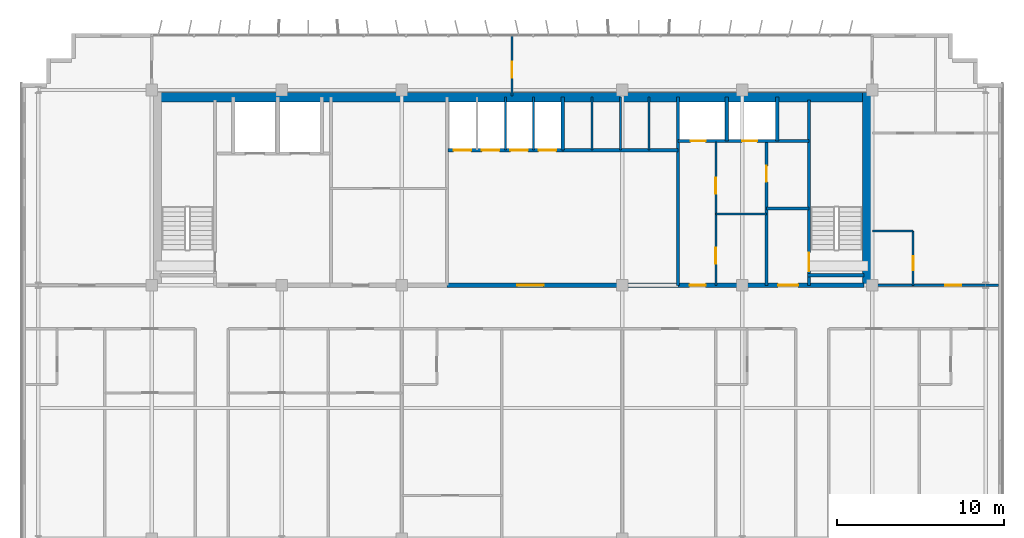
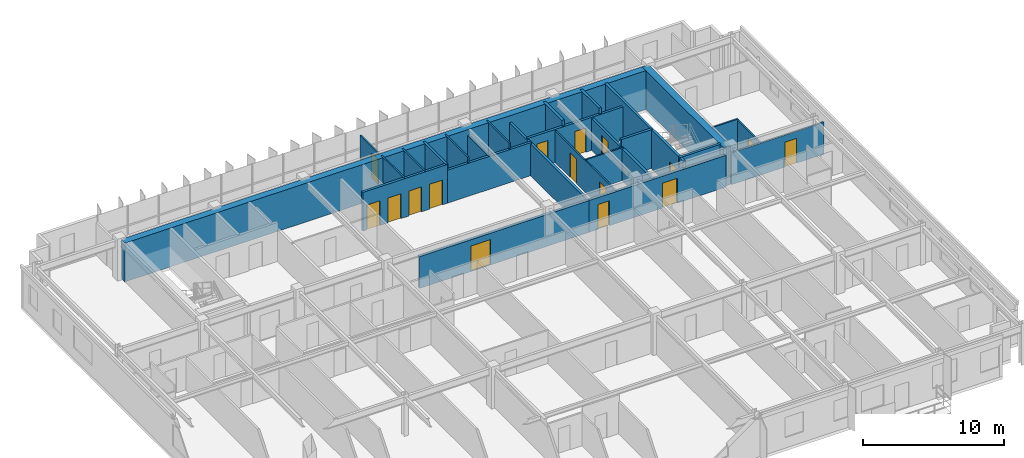
# One storey, part 18 of 21: 26 walls, 16 doors, 16 openings.
"""IFC4 building model written with IfcOpenShell, lengths in metres."""

from ifc_helpers import new_model, si_unit, direction, frame, frame_2d, origin, place, context, subcontext, project, spatial, rectangle, extrude, source, transform, mapped, material, layer, layer_set, type_object, element, fill, save


model = new_model("IFC4")

# Units and contexts
model_context = context("Model", 3, precision=1e-05, world=origin(), true_north=direction((0.0, 1.0)))
body_context = subcontext(model_context, "Body", "Model", "MODEL_VIEW")
ifc_project = project(units=[si_unit("LENGTHUNIT", "METRE"), si_unit("AREAUNIT", "SQUARE_METRE"), si_unit("VOLUMEUNIT", "CUBIC_METRE"), si_unit("PLANEANGLEUNIT", "RADIAN"), si_unit("MASSUNIT", "GRAM", prefix="KILO")], contexts=[model_context])

# Site, building, storey
site_placement = place(None, origin())
site = spatial("IfcSite", under=ifc_project, at=site_placement, CompositionType="ELEMENT")
building_placement = place(site_placement, origin())
building = spatial("IfcBuilding", under=site, at=building_placement, Name="Trelvane Seafront Commons", CompositionType="ELEMENT")
storey_placement = place(building_placement, frame((0.0, 0.0, 160.89990234375)))
storey = spatial("IfcBuildingStorey", under=building, at=storey_placement, Name="L42", CompositionType="ELEMENT", Elevation=160.89990234375)

# Wall, opening, door
ifc_material_1 = material(Name="Concrete C40/50", Category="concrete")
ifc_layer_1 = layer(ifc_material_1, 0.199951171875, Name="ARCH-WALL-FIRE200")
ifc_layer_set_1 = layer_set([ifc_layer_1], Name="Concrete C40/50")
wall_type_1 = type_object("IfcWallType", Name="ARCH-WALL-FIRE200", PredefinedType="PARTITIONING", material=ifc_layer_set_1)
wall_1_placement = place(storey_placement, frame((52.449951171875, 33.39990234375, 0.0), z_axis=(0.0, 0.0, 1.0), x_axis=(0.0, 1.0, 0.0)))
wall_1 = element("IfcWall", 1, at=wall_1_placement, inside=storey, type_object=wall_type_1, Name="W-L42-ST2V-W-031", PredefinedType="PARTITIONING", context=body_context, shape_type="SweptSolid", body=[
    extrude(rectangle(XDim=8.650146484375, YDim=0.199951171875, at=frame_2d((4.3251953125, 0.0))), origin(), (0.0, 0.0, 1.0), 2.75),
])
opening_1_placement = place(wall_1_placement, frame((6.199951171875, 0.0, 0.0)))
opening_1 = element("IfcOpeningElement", 2, at=opening_1_placement, cuts=wall_1, Name="Opening FD-L42-15", PredefinedType="OPENING", context=body_context, shape_type="SweptSolid", body=[
    extrude(rectangle(XDim=0.949951171875, YDim=2.14990234375, at=frame_2d((0.47509765625, 1.074951171875))), frame((0.0, 0.10986328125, 0.0), z_axis=(0.0, -1.0, 0.0), x_axis=(1.0, 0.0, 0.0)), (0.0, 0.0, 1.0), 0.219970703125),
])
ifc_material_2 = material(Name="Powder-coated aluminium frame", Category="aluminium")
door_type_1 = type_object("IfcDoorType", Name="ARCH-DR-FD60-950", OperationType="NOTDEFINED", PredefinedType="DOOR", material=ifc_material_2)
shared_shape_1 = source(origin(), body_context, "Body", "SweptSolid", [
    extrude(rectangle(XDim=0.949951171875, YDim=2.14990234375, at=frame_2d((0.47509765625, 1.074951171875))), frame((0.0, 0.02490234375, 0.0), z_axis=(0.0, -1.0, 0.0), x_axis=(1.0, 0.0, 0.0)), (0.0, 0.0, 1.0), 0.050048828125),
])
door_1_placement = place(opening_1_placement, origin())
door_1 = element("IfcDoor", 3, at=door_1_placement, inside=storey, type_object=door_type_1, Name="L42 Cleaner Store Door", OperationType="SINGLE_SWING_LEFT", OverallHeight=2.14990234375, OverallWidth=0.949951171875, PredefinedType="DOOR", context=body_context, shape_type="MappedRepresentation", body=[
    mapped(shared_shape_1, transform((0.0, 0.0, 0.0), x_axis=(1.0, 0.0, 0.0), y_axis=(0.0, 1.0, 0.0), z_axis=(0.0, 0.0, 1.0), scale=1.0)),
])
fill(opening_1, door_1)

# Wall
wall_2_placement = place(storey_placement, frame((52.449951171875, 38.0, 0.0), z_axis=(0.0, 0.0, 1.0), x_axis=(1.0, 0.0, 0.0)))
element("IfcWall", 4, at=wall_2_placement, inside=storey, type_object=wall_type_1, Name="W-L42-ST2V-N-032", PredefinedType="PARTITIONING", context=body_context, shape_type="SweptSolid", body=[
    extrude(rectangle(XDim=2.550048828125, YDim=0.199951171875, at=frame_2d((1.27490234375, 0.0))), origin(), (0.0, 0.0, 1.0), 3.35009765625),
])

# Wall, opening, door
ifc_layer_2 = layer(ifc_material_1, 0.25, Name="ARCH-WALL-FIRE250")
ifc_layer_set_2 = layer_set([ifc_layer_2], Name="Concrete C40/50")
wall_type_2 = type_object("IfcWallType", Name="ARCH-WALL-FIRE250", PredefinedType="PARTITIONING", material=ifc_layer_set_2)
wall_3_placement = place(storey_placement, frame((33.300048828125, 33.39990234375, 0.0), z_axis=(0.0, 0.0, 1.0), x_axis=(1.0, 0.0, 0.0)))
wall_3 = element("IfcWall", 5, at=wall_3_placement, inside=storey, type_object=wall_type_2, Name="W-L42-CS-PAX-027", PredefinedType="PARTITIONING", context=body_context, shape_type="SweptSolid", body=[
    extrude(rectangle(XDim=13.849853515625, YDim=0.25, at=frame_2d((6.9248046875, 0.0))), origin(), (0.0, 0.0, 1.0), 2.75),
])
opening_2_placement = place(wall_3_placement, frame((4.199951171875, 0.0, 0.0)))
opening_2 = element("IfcOpeningElement", 6, at=opening_2_placement, cuts=wall_3, Name="Opening FD-L42-12", PredefinedType="OPENING", context=body_context, shape_type="SweptSolid", body=[
    extrude(rectangle(XDim=1.60009765625, YDim=2.199951171875, at=frame_2d((0.800048828125, 1.10009765625))), frame((0.0, 0.135009765625, 0.0), z_axis=(0.0, -1.0, 0.0), x_axis=(1.0, 0.0, 0.0)), (0.0, 0.0, 1.0), 0.27001953125),
])
door_type_2 = type_object("IfcDoorType", Name="ARCH-DR-FD60-1600", OperationType="DOUBLE_DOOR_SINGLE_SWING", PredefinedType="DOOR", material=ifc_material_2)
shared_shape_2 = source(origin(), body_context, "Body", "SweptSolid", [
    extrude(rectangle(XDim=1.60009765625, YDim=2.199951171875, at=frame_2d((0.800048828125, 1.10009765625))), frame((0.0, 0.02490234375, 0.0), z_axis=(0.0, -1.0, 0.0), x_axis=(1.0, 0.0, 0.0)), (0.0, 0.0, 1.0), 0.050048828125),
])
door_2_placement = place(opening_2_placement, origin())
door_2 = element("IfcDoor", 7, at=door_2_placement, inside=storey, type_object=door_type_2, Name="L42 Passenger Lift Lobby Double Door", OperationType="DOUBLE_DOOR_SINGLE_SWING", OverallHeight=2.199951171875, OverallWidth=1.60009765625, PredefinedType="DOOR", context=body_context, shape_type="MappedRepresentation", body=[
    mapped(shared_shape_2, transform((0.0, 0.0, 0.0), x_axis=(1.0, 0.0, 0.0), y_axis=(0.0, 1.0, 0.0), z_axis=(0.0, 0.0, 1.0), scale=1.0)),
])
fill(opening_2, door_2)

# Wall, openings, doors
wall_4_placement = place(storey_placement, frame((47.14990234375, 33.39990234375, 0.0), z_axis=(0.0, 0.0, 1.0), x_axis=(1.0, 0.0, 0.0)))
wall_4 = element("IfcWall", 8, at=wall_4_placement, inside=storey, type_object=wall_type_2, Name="W-L42-CS-EAST-035", PredefinedType="PARTITIONING", context=body_context, shape_type="SweptSolid", body=[
    extrude(rectangle(XDim=11.150146484375, YDim=0.25, at=frame_2d((5.5751953125, 0.0))), origin(), (0.0, 0.0, 1.0), 2.75),
])
opening_3_placement = place(wall_4_placement, frame((0.699951171875, 0.0, 0.0)))
opening_3 = element("IfcOpeningElement", 9, at=opening_3_placement, cuts=wall_4, Name="Opening FD-L42-18", PredefinedType="OPENING", context=body_context, shape_type="SweptSolid", body=[
    extrude(rectangle(XDim=0.949951171875, YDim=2.14990234375, at=frame_2d((0.47509765625, 1.074951171875))), frame((0.0, 0.135009765625, 0.0), z_axis=(0.0, -1.0, 0.0), x_axis=(1.0, 0.0, 0.0)), (0.0, 0.0, 1.0), 0.27001953125),
])
opening_4_placement = place(wall_4_placement, frame((6.0, 0.0, 0.0)))
opening_4 = element("IfcOpeningElement", 10, at=opening_4_placement, cuts=wall_4, Name="Opening FD-L42-19", PredefinedType="OPENING", context=body_context, shape_type="SweptSolid", body=[
    extrude(rectangle(XDim=1.199951171875, YDim=2.14990234375, at=frame_2d((0.60009765625, 1.074951171875))), frame((0.0, 0.135009765625, 0.0), z_axis=(0.0, -1.0, 0.0), x_axis=(1.0, 0.0, 0.0)), (0.0, 0.0, 1.0), 0.27001953125),
])
door_3_placement = place(opening_3_placement, origin())
door_3 = element("IfcDoor", 11, at=door_3_placement, inside=storey, type_object=door_type_1, Name="L42 Core Service Lobby Door", OperationType="SINGLE_SWING_RIGHT", OverallHeight=2.14990234375, OverallWidth=0.949951171875, PredefinedType="DOOR", context=body_context, shape_type="MappedRepresentation", body=[
    mapped(shared_shape_1, transform((0.0, 0.0, 0.0), x_axis=(1.0, 0.0, 0.0), y_axis=(0.0, 1.0, 0.0), z_axis=(0.0, 0.0, 1.0), scale=1.0)),
])
fill(opening_3, door_3)
door_type_3 = type_object("IfcDoorType", Name="ARCH-DR-FD60-1200", OperationType="NOTDEFINED", PredefinedType="DOOR", material=ifc_material_2)
shared_shape_3 = source(origin(), body_context, "Body", "SweptSolid", [
    extrude(rectangle(XDim=1.199951171875, YDim=2.14990234375, at=frame_2d((0.60009765625, 1.074951171875))), frame((0.0, 0.02490234375, 0.0), z_axis=(0.0, -1.0, 0.0), x_axis=(1.0, 0.0, 0.0)), (0.0, 0.0, 1.0), 0.050048828125),
])
door_4_placement = place(opening_4_placement, origin())
door_4 = element("IfcDoor", 12, at=door_4_placement, inside=storey, type_object=door_type_3, Name="L42 East Stair Vestibule Fire Door", OperationType="SINGLE_SWING_LEFT", OverallHeight=2.14990234375, OverallWidth=1.199951171875, PredefinedType="DOOR", context=body_context, shape_type="MappedRepresentation", body=[
    mapped(shared_shape_3, transform((0.0, 0.0, 0.0), x_axis=(1.0, 0.0, 0.0), y_axis=(0.0, 1.0, 0.0), z_axis=(0.0, 0.0, 1.0), scale=1.0)),
])
fill(opening_4, door_4)

# Walls
ifc_material_3 = material(Name="Gypsum Drywall Acoustic Partition")
ifc_layer_3 = layer(ifc_material_3, 0.1201171875, Name="ARCH-WALL-PART120")
ifc_layer_set_3 = layer_set([ifc_layer_3], Name="Gypsum Drywall Acoustic Partition")
wall_type_3 = type_object("IfcWallType", Name="ARCH-WALL-PART120", PredefinedType="PARTITIONING", material=ifc_layer_set_3)
for number, where, z_axis, x_axis, name in (
    (13, (36.800048828125, 41.5, 0.0), (0.0, 0.0, 1.0), (0.0, 1.0, 0.0), "W-L42-PM-DIV2-018"),
    (14, (38.5, 41.5, 0.0), (0.0, 0.0, 1.0), (0.0, 1.0, 0.0), "W-L42-PM-DIV3-019"),
    (15, (42.0, 41.5, 0.0), (0.0, 0.0, 1.0), (0.0, 1.0, 0.0), "W-L42-PH-DIV1-022"),
):
    element("IfcWall", number, at=place(storey_placement, frame(where, z_axis=z_axis, x_axis=x_axis)), inside=storey, type_object=wall_type_3, Name=name, PredefinedType="PARTITIONING", context=body_context, shape_type="SweptSolid", body=[
        extrude(rectangle(XDim=3.199951171875, YDim=0.1201171875, at=frame_2d((1.60009765625, 0.0))), origin(), (0.0, 0.0, 1.0), 3.35009765625),
    ])
wall_5_placement = place(storey_placement, frame((43.699951171875, 41.5, 0.0), z_axis=(0.0, 0.0, 1.0), x_axis=(0.0, 1.0, 0.0)))
element("IfcWall", 16, at=wall_5_placement, inside=storey, type_object=wall_type_3, Name="W-L42-PH-DIV2-023", PredefinedType="PARTITIONING", context=body_context, shape_type="SweptSolid", body=[
    extrude(rectangle(XDim=3.199951171875, YDim=0.1201171875, at=frame_2d((1.60009765625, 0.0))), origin(), (0.0, 0.0, 1.0), 2.85009765625),
])
wall_6_placement = place(storey_placement, frame((45.39990234375, 41.5, 0.0), z_axis=(0.0, 0.0, 1.0), x_axis=(0.0, 1.0, 0.0)))
element("IfcWall", 17, at=wall_6_placement, inside=storey, type_object=wall_type_3, Name="W-L42-PH-DIV3-024", PredefinedType="PARTITIONING", context=body_context, shape_type="SweptSolid", body=[
    extrude(rectangle(XDim=3.199951171875, YDim=0.1201171875, at=frame_2d((1.60009765625, 0.0))), origin(), (0.0, 0.0, 1.0), 3.35009765625),
])

# Wall, openings, doors
wall_7_placement = place(storey_placement, frame((49.419921875, 33.39990234375, 0.0), z_axis=(0.0, 0.0, 1.0), x_axis=(0.0, 1.0, 0.0)))
wall_7 = element("IfcWall", 18, at=wall_7_placement, inside=storey, type_object=wall_type_3, Name="W-L42-CYC0-V-033", PredefinedType="PARTITIONING", context=body_context, shape_type="SweptSolid", body=[
    extrude(rectangle(XDim=8.60009765625, YDim=0.1201171875, at=frame_2d((4.300048828125, 0.0))), origin(), (0.0, 0.0, 1.0), 2.75),
])
opening_5_placement = place(wall_7_placement, frame((1.300048828125, 0.0, 0.0)))
opening_5 = element("IfcOpeningElement", 19, at=opening_5_placement, cuts=wall_7, Name="Opening D-L42-16", PredefinedType="OPENING", context=body_context, shape_type="SweptSolid", body=[
    extrude(rectangle(XDim=0.949951171875, YDim=2.14990234375, at=frame_2d((0.47509765625, 1.074951171875))), frame((0.0, 0.070068359375, 0.0), z_axis=(0.0, -1.0, 0.0), x_axis=(1.0, 0.0, 0.0)), (0.0, 0.0, 1.0), 0.14013671875),
])
opening_6_placement = place(wall_7_placement, frame((5.5, 0.0, 0.0)))
opening_6 = element("IfcOpeningElement", 20, at=opening_6_placement, cuts=wall_7, Name="Opening D-L42-17", PredefinedType="OPENING", context=body_context, shape_type="SweptSolid", body=[
    extrude(rectangle(XDim=0.949951171875, YDim=2.14990234375, at=frame_2d((0.47509765625, 1.074951171875))), frame((0.0, 0.070068359375, 0.0), z_axis=(0.0, -1.0, 0.0), x_axis=(1.0, 0.0, 0.0)), (0.0, 0.0, 1.0), 0.14013671875),
])
ifc_material_4 = material(Name="Acoustic timber door leaf", Category="wood")
door_type_4 = type_object("IfcDoorType", Name="ARCH-DR-INT950", OperationType="NOTDEFINED", PredefinedType="DOOR", material=ifc_material_4)
door_5_placement = place(opening_5_placement, origin())
door_5 = element("IfcDoor", 21, at=door_5_placement, inside=storey, type_object=door_type_4, Name="L42 Accessible WC Door", OperationType="SINGLE_SWING_RIGHT", OverallHeight=2.14990234375, OverallWidth=0.949951171875, PredefinedType="DOOR", context=body_context, shape_type="MappedRepresentation", body=[
    mapped(shared_shape_1, transform((0.0, 0.0, 0.0), x_axis=(1.0, 0.0, 0.0), y_axis=(0.0, 1.0, 0.0), z_axis=(0.0, 0.0, 1.0), scale=1.0)),
])
fill(opening_5, door_5)
door_6_placement = place(opening_6_placement, origin())
door_6 = element("IfcDoor", 22, at=door_6_placement, inside=storey, type_object=door_type_4, Name="L42 Common WC Door", OperationType="SINGLE_SWING_LEFT", OverallHeight=2.14990234375, OverallWidth=0.949951171875, PredefinedType="DOOR", context=body_context, shape_type="MappedRepresentation", body=[
    mapped(shared_shape_1, transform((0.0, 0.0, 0.0), x_axis=(1.0, 0.0, 0.0), y_axis=(0.0, 1.0, 0.0), z_axis=(0.0, 0.0, 1.0), scale=1.0)),
])
fill(opening_6, door_6)

# Wall
wall_8_placement = place(storey_placement, frame((49.419921875, 37.679931640625, 0.0), z_axis=(0.0, 0.0, 1.0), x_axis=(1.0, 0.0, 0.0)))
element("IfcWall", 23, at=wall_8_placement, inside=storey, type_object=wall_type_3, Name="W-L42-CYC0-H-034", PredefinedType="PARTITIONING", context=body_context, shape_type="SweptSolid", body=[
    extrude(rectangle(XDim=3.030029296875, YDim=0.1201171875, at=frame_2d((1.51513671875, 0.0))), origin(), (0.0, 0.0, 1.0), 2.85009765625),
])

# Wall, opening, door
wall_9_placement = place(storey_placement, frame((61.25, 33.39990234375, 0.0), z_axis=(0.0, 0.0, 1.0), x_axis=(0.0, 1.0, 0.0)))
wall_9 = element("IfcWall", 24, at=wall_9_placement, inside=storey, type_object=wall_type_3, Name="W-L42-NE-BE-037", PredefinedType="PARTITIONING", context=body_context, shape_type="SweptSolid", body=[
    extrude(rectangle(XDim=3.25, YDim=0.1201171875, at=frame_2d((1.625, 0.0))), origin(), (0.0, 0.0, 1.0), 2.75),
])
opening_7_placement = place(wall_9_placement, frame((0.89990234375, 0.0, 0.0)))
opening_7 = element("IfcOpeningElement", 25, at=opening_7_placement, cuts=wall_9, Name="Opening D-L42-21", PredefinedType="OPENING", context=body_context, shape_type="SweptSolid", body=[
    extrude(rectangle(XDim=0.85009765625, YDim=2.10009765625, at=frame_2d((0.425048828125, 1.050048828125))), frame((0.0, 0.070068359375, 0.0), z_axis=(0.0, -1.0, 0.0), x_axis=(1.0, 0.0, 0.0)), (0.0, 0.0, 1.0), 0.14013671875),
])
door_type_5 = type_object("IfcDoorType", Name="ARCH-DR-INT850", OperationType="NOTDEFINED", PredefinedType="DOOR", material=ifc_material_4)
shared_shape_4 = source(origin(), body_context, "Body", "SweptSolid", [
    extrude(rectangle(XDim=0.85009765625, YDim=2.10009765625, at=frame_2d((0.425048828125, 1.050048828125))), frame((0.0, 0.02490234375, 0.0), z_axis=(0.0, -1.0, 0.0), x_axis=(1.0, 0.0, 0.0)), (0.0, 0.0, 1.0), 0.050048828125),
])
door_7_placement = place(opening_7_placement, origin())
door_7 = element("IfcDoor", 26, at=door_7_placement, inside=storey, type_object=door_type_5, Name="L42 Door 21", OperationType="SINGLE_SWING_LEFT", OverallHeight=2.10009765625, OverallWidth=0.85009765625, PredefinedType="DOOR", context=body_context, shape_type="MappedRepresentation", body=[
    mapped(shared_shape_4, transform((0.0, 0.0, 0.0), x_axis=(1.0, 0.0, 0.0), y_axis=(0.0, 1.0, 0.0), z_axis=(0.0, 0.0, 1.0), scale=1.0)),
])
fill(opening_7, door_7)

# Wall
wall_10_placement = place(storey_placement, frame((58.800048828125, 36.64990234375, 0.0), z_axis=(0.0, 0.0, 1.0), x_axis=(1.0, 0.0, 0.0)))
element("IfcWall", 27, at=wall_10_placement, inside=storey, type_object=wall_type_3, Name="W-L42-NE-BN-038", PredefinedType="PARTITIONING", context=body_context, shape_type="SweptSolid", body=[
    extrude(rectangle(XDim=2.449951171875, YDim=0.1201171875, at=frame_2d((1.22509765625, 0.0))), origin(), (0.0, 0.0, 1.0), 2.85009765625),
])

# Wall, opening, door
wall_11_placement = place(storey_placement, frame((37.199951171875, 44.75, 0.0), z_axis=(0.0, 0.0, 1.0), x_axis=(0.0, 1.0, 0.0)))
wall_11 = element("IfcWall", 28, at=wall_11_placement, inside=storey, type_object=wall_type_3, Name="W-L42-N-MID-DV-043", PredefinedType="PARTITIONING", context=body_context, shape_type="SweptSolid", body=[
    extrude(rectangle(XDim=3.610107421875, YDim=0.1201171875, at=frame_2d((1.80517578125, 0.0))), origin(), (0.0, 0.0, 1.0), 2.75),
])
opening_8_placement = place(wall_11_placement, frame((1.10009765625, 0.0, 0.0)))
opening_8 = element("IfcOpeningElement", 29, at=opening_8_placement, cuts=wall_11, Name="Opening D-L42-25", PredefinedType="OPENING", context=body_context, shape_type="SweptSolid", body=[
    extrude(rectangle(XDim=0.949951171875, YDim=2.14990234375, at=frame_2d((0.47509765625, 1.074951171875))), frame((0.0, 0.070068359375, 0.0), z_axis=(0.0, -1.0, 0.0), x_axis=(1.0, 0.0, 0.0)), (0.0, 0.0, 1.0), 0.14013671875),
])
door_8_placement = place(opening_8_placement, origin())
door_8 = element("IfcDoor", 30, at=door_8_placement, inside=storey, type_object=door_type_4, Name="L42 Door 25", OperationType="SINGLE_SWING_LEFT", OverallHeight=2.14990234375, OverallWidth=0.949951171875, PredefinedType="DOOR", context=body_context, shape_type="MappedRepresentation", body=[
    mapped(shared_shape_1, transform((0.0, 0.0, 0.0), x_axis=(1.0, 0.0, 0.0), y_axis=(0.0, 1.0, 0.0), z_axis=(0.0, 0.0, 1.0), scale=1.0)),
])
fill(opening_8, door_8)

ifc_layer_4 = layer(ifc_material_3, 0.14990234375, Name="ARCH-WALL-PART150")
ifc_layer_set_4 = layer_set([ifc_layer_4], Name="Gypsum Drywall Acoustic Partition")
wall_type_4 = type_object("IfcWallType", Name="ARCH-WALL-PART150", PredefinedType="PARTITIONING", material=ifc_layer_set_4)
wall_12_placement = place(storey_placement, frame((58.800048828125, 33.39990234375, 0.0), z_axis=(0.0, 0.0, 1.0), x_axis=(1.0, 0.0, 0.0)))
wall_12 = element("IfcWall", 31, at=wall_12_placement, inside=storey, type_object=wall_type_4, Name="W-L42-NE-ENT-042", PredefinedType="PARTITIONING", context=body_context, shape_type="SweptSolid", body=[
    extrude(rectangle(XDim=7.550048828125, YDim=0.14990234375, at=frame_2d((3.77490234375, 0.0))), origin(), (0.0, 0.0, 1.0), 2.75),
])
opening_9_placement = place(wall_12_placement, frame((4.375, 0.0, 0.0)))
opening_9 = element("IfcOpeningElement", 32, at=opening_9_placement, cuts=wall_12, Name="Opening FD-L42-24", PredefinedType="OPENING", context=body_context, shape_type="SweptSolid", body=[
    extrude(rectangle(XDim=0.949951171875, YDim=2.14990234375, at=frame_2d((0.47509765625, 1.074951171875))), frame((0.0, 0.0849609375, 0.0), z_axis=(0.0, -1.0, 0.0), x_axis=(1.0, 0.0, 0.0)), (0.0, 0.0, 1.0), 0.169921875),
])
door_9_placement = place(opening_9_placement, origin())
door_9 = element("IfcDoor", 33, at=door_9_placement, inside=storey, type_object=door_type_1, Name="L42 NE Flat Entrance Door", OperationType="SINGLE_SWING_RIGHT", OverallHeight=2.14990234375, OverallWidth=0.949951171875, PredefinedType="DOOR", context=body_context, shape_type="MappedRepresentation", body=[
    mapped(shared_shape_1, transform((0.0, 0.0, 0.0), x_axis=(1.0, 0.0, 0.0), y_axis=(0.0, 1.0, 0.0), z_axis=(0.0, 0.0, 1.0), scale=1.0)),
])
fill(opening_9, door_9)

# Wall, openings, doors
ifc_layer_5 = layer(ifc_material_1, 0.199951171875, Name="ARCH-WALL-SHAFT200")
ifc_layer_set_5 = layer_set([ifc_layer_5], Name="Concrete C40/50")
wall_type_5 = type_object("IfcWallType", Name="ARCH-WALL-SHAFT200", PredefinedType="SOLIDWALL", material=ifc_layer_set_5)
wall_13_placement = place(storey_placement, frame((33.35009765625, 41.5, 0.0), z_axis=(0.0, 0.0, 1.0), x_axis=(1.0, 0.0, 0.0)))
wall_13 = element("IfcWall", 34, at=wall_13_placement, inside=storey, type_object=wall_type_5, Name="W-L42-PM-FRONT-016", PredefinedType="SOLIDWALL", context=body_context, shape_type="SweptSolid", body=[
    extrude(rectangle(XDim=6.89990234375, YDim=0.199951171875, at=frame_2d((3.449951171875, 0.0))), origin(), (0.0, 0.0, 1.0), 3.35009765625),
])
opening_10_placement = place(wall_13_placement, frame((0.35009765625, 0.0, 0.0)))
opening_10 = element("IfcOpeningElement", 35, at=opening_10_placement, cuts=wall_13, Name="Opening LD-PM1-L42", PredefinedType="OPENING", context=body_context, shape_type="SweptSolid", body=[
    extrude(rectangle(XDim=1.050048828125, YDim=2.14990234375, at=frame_2d((0.52490234375, 1.074951171875))), frame((0.0, 0.10986328125, 0.0), z_axis=(0.0, -1.0, 0.0), x_axis=(1.0, 0.0, 0.0)), (0.0, 0.0, 1.0), 0.219970703125),
])
opening_11_placement = place(wall_13_placement, frame((2.050048828125, 0.0, 0.0)))
opening_11 = element("IfcOpeningElement", 36, at=opening_11_placement, cuts=wall_13, Name="Opening LD-PM2-L42", PredefinedType="OPENING", context=body_context, shape_type="SweptSolid", body=[
    extrude(rectangle(XDim=1.050048828125, YDim=2.14990234375, at=frame_2d((0.52490234375, 1.074951171875))), frame((0.0, 0.10986328125, 0.0), z_axis=(0.0, -1.0, 0.0), x_axis=(1.0, 0.0, 0.0)), (0.0, 0.0, 1.0), 0.219970703125),
])
opening_12_placement = place(wall_13_placement, frame((3.75, 0.0, 0.0)))
opening_12 = element("IfcOpeningElement", 37, at=opening_12_placement, cuts=wall_13, Name="Opening LD-PM3-L42", PredefinedType="OPENING", context=body_context, shape_type="SweptSolid", body=[
    extrude(rectangle(XDim=1.050048828125, YDim=2.14990234375, at=frame_2d((0.52490234375, 1.074951171875))), frame((0.0, 0.10986328125, 0.0), z_axis=(0.0, -1.0, 0.0), x_axis=(1.0, 0.0, 0.0)), (0.0, 0.0, 1.0), 0.219970703125),
])
opening_13_placement = place(wall_13_placement, frame((5.449951171875, 0.0, 0.0)))
opening_13 = element("IfcOpeningElement", 38, at=opening_13_placement, cuts=wall_13, Name="Opening LD-PM4-L42", PredefinedType="OPENING", context=body_context, shape_type="SweptSolid", body=[
    extrude(rectangle(XDim=1.050048828125, YDim=2.14990234375, at=frame_2d((0.52490234375, 1.074951171875))), frame((0.0, 0.10986328125, 0.0), z_axis=(0.0, -1.0, 0.0), x_axis=(1.0, 0.0, 0.0)), (0.0, 0.0, 1.0), 0.219970703125),
])
ifc_material_5 = material(Name="Stainless steel balustrade", Category="steel")
door_type_6 = type_object("IfcDoorType", Name="ARCH-DR-LD1050", OperationType="DOUBLE_DOOR_SLIDING", PredefinedType="DOOR", material=ifc_material_5)
shared_shape_5 = source(origin(), body_context, "Body", "SweptSolid", [
    extrude(rectangle(XDim=1.050048828125, YDim=2.14990234375, at=frame_2d((0.52490234375, 1.074951171875))), frame((0.0, 0.02490234375, 0.0), z_axis=(0.0, -1.0, 0.0), x_axis=(1.0, 0.0, 0.0)), (0.0, 0.0, 1.0), 0.050048828125),
])
door_10_placement = place(opening_10_placement, origin())
door_10 = element("IfcDoor", 39, at=door_10_placement, inside=storey, type_object=door_type_6, Name="L42 Passenger Lift PM-1 Landing Door", OperationType="DOUBLE_DOOR_SLIDING", OverallHeight=2.14990234375, OverallWidth=1.050048828125, PredefinedType="DOOR", context=body_context, shape_type="MappedRepresentation", body=[
    mapped(shared_shape_5, transform((0.0, 0.0, 0.0), x_axis=(1.0, 0.0, 0.0), y_axis=(0.0, 1.0, 0.0), z_axis=(0.0, 0.0, 1.0), scale=1.0)),
])
fill(opening_10, door_10)
door_11_placement = place(opening_11_placement, origin())
door_11 = element("IfcDoor", 40, at=door_11_placement, inside=storey, type_object=door_type_6, Name="L42 Passenger Lift PM-2 Landing Door", OperationType="DOUBLE_DOOR_SLIDING", OverallHeight=2.14990234375, OverallWidth=1.050048828125, PredefinedType="DOOR", context=body_context, shape_type="MappedRepresentation", body=[
    mapped(shared_shape_5, transform((0.0, 0.0, 0.0), x_axis=(1.0, 0.0, 0.0), y_axis=(0.0, 1.0, 0.0), z_axis=(0.0, 0.0, 1.0), scale=1.0)),
])
fill(opening_11, door_11)
door_12_placement = place(opening_12_placement, origin())
door_12 = element("IfcDoor", 41, at=door_12_placement, inside=storey, type_object=door_type_6, Name="L42 Passenger Lift PM-3 Landing Door", OperationType="DOUBLE_DOOR_SLIDING", OverallHeight=2.14990234375, OverallWidth=1.050048828125, PredefinedType="DOOR", context=body_context, shape_type="MappedRepresentation", body=[
    mapped(shared_shape_5, transform((0.0, 0.0, 0.0), x_axis=(1.0, 0.0, 0.0), y_axis=(0.0, 1.0, 0.0), z_axis=(0.0, 0.0, 1.0), scale=1.0)),
])
fill(opening_12, door_12)
door_13_placement = place(opening_13_placement, origin())
door_13 = element("IfcDoor", 42, at=door_13_placement, inside=storey, type_object=door_type_6, Name="L42 Passenger Lift PM-4 Landing Door", OperationType="DOUBLE_DOOR_SLIDING", OverallHeight=2.14990234375, OverallWidth=1.050048828125, PredefinedType="DOOR", context=body_context, shape_type="MappedRepresentation", body=[
    mapped(shared_shape_5, transform((0.0, 0.0, 0.0), x_axis=(1.0, 0.0, 0.0), y_axis=(0.0, 1.0, 0.0), z_axis=(0.0, 0.0, 1.0), scale=1.0)),
])
fill(opening_13, door_13)

# Walls
wall_14_placement = place(storey_placement, frame((40.25, 41.5, 0.0), z_axis=(0.0, 0.0, 1.0), x_axis=(1.0, 0.0, 0.0)))
element("IfcWall", 43, at=wall_14_placement, inside=storey, type_object=wall_type_5, Name="W-L42-PH-FRONT-020", PredefinedType="SOLIDWALL", context=body_context, shape_type="SweptSolid", body=[
    extrude(rectangle(XDim=6.89990234375, YDim=0.199951171875, at=frame_2d((3.449951171875, 0.0))), origin(), (0.0, 0.0, 1.0), 2.85009765625),
])
wall_15_placement = place(storey_placement, frame((40.25, 41.5, 0.0), z_axis=(0.0, 0.0, 1.0), x_axis=(0.0, 1.0, 0.0)))
element("IfcWall", 44, at=wall_15_placement, inside=storey, type_object=wall_type_5, Name="W-L42-PH-WEST-SH-021", PredefinedType="SOLIDWALL", context=body_context, shape_type="SweptSolid", body=[
    extrude(rectangle(XDim=3.199951171875, YDim=0.199951171875, at=frame_2d((1.60009765625, 0.0))), origin(), (0.0, 0.0, 1.0), 3.35009765625),
])
wall_16_placement = place(storey_placement, frame((47.14990234375, 33.39990234375, 0.0), z_axis=(0.0, 0.0, 1.0), x_axis=(0.0, 1.0, 0.0)))
element("IfcWall", 45, at=wall_16_placement, inside=storey, type_object=wall_type_5, Name="W-L42-PH-EAST-025", PredefinedType="SOLIDWALL", context=body_context, shape_type="SweptSolid", body=[
    extrude(rectangle(XDim=11.300048828125, YDim=0.199951171875, at=frame_2d((5.64990234375, 0.0))), origin(), (0.0, 0.0, 1.0), 2.75),
])

# Wall, openings, doors
wall_17_placement = place(storey_placement, frame((47.14990234375, 42.050048828125, 0.0), z_axis=(0.0, 0.0, 1.0), x_axis=(1.0, 0.0, 0.0)))
wall_17 = element("IfcWall", 46, at=wall_17_placement, inside=storey, type_object=wall_type_5, Name="W-L42-RSR-S-028", PredefinedType="SOLIDWALL", context=body_context, shape_type="SweptSolid", body=[
    extrude(rectangle(XDim=7.85009765625, YDim=0.199951171875, at=frame_2d((3.925048828125, 0.0))), origin(), (0.0, 0.0, 1.0), 2.85009765625),
])
opening_14_placement = place(wall_17_placement, frame((0.75, 0.0, 0.0)))
opening_14 = element("IfcOpeningElement", 47, at=opening_14_placement, cuts=wall_17, Name="Opening FD-L42-13", PredefinedType="OPENING", context=body_context, shape_type="SweptSolid", body=[
    extrude(rectangle(XDim=0.89990234375, YDim=2.10009765625, at=frame_2d((0.449951171875, 1.050048828125))), frame((0.0, 0.10986328125, 0.0), z_axis=(0.0, -1.0, 0.0), x_axis=(1.0, 0.0, 0.0)), (0.0, 0.0, 1.0), 0.219970703125),
])
opening_15_placement = place(wall_17_placement, frame((3.85009765625, 0.0, 0.0)))
opening_15 = element("IfcOpeningElement", 48, at=opening_15_placement, cuts=wall_17, Name="Opening FD-L42-14", PredefinedType="OPENING", context=body_context, shape_type="SweptSolid", body=[
    extrude(rectangle(XDim=0.89990234375, YDim=2.10009765625, at=frame_2d((0.449951171875, 1.050048828125))), frame((0.0, 0.10986328125, 0.0), z_axis=(0.0, -1.0, 0.0), x_axis=(1.0, 0.0, 0.0)), (0.0, 0.0, 1.0), 0.219970703125),
])
door_type_7 = type_object("IfcDoorType", Name="ARCH-DR-FD60-900", OperationType="NOTDEFINED", PredefinedType="DOOR", material=ifc_material_2)
shared_shape_6 = source(origin(), body_context, "Body", "SweptSolid", [
    extrude(rectangle(XDim=0.89990234375, YDim=2.10009765625, at=frame_2d((0.449951171875, 1.050048828125))), frame((0.0, 0.02490234375, 0.0), z_axis=(0.0, -1.0, 0.0), x_axis=(1.0, 0.0, 0.0)), (0.0, 0.0, 1.0), 0.050048828125),
])
door_14_placement = place(opening_14_placement, origin())
door_14 = element("IfcDoor", 49, at=door_14_placement, inside=storey, type_object=door_type_7, Name="L42 Electrical Riser Access Door", OperationType="SINGLE_SWING_LEFT", OverallHeight=2.10009765625, OverallWidth=0.89990234375, PredefinedType="DOOR", context=body_context, shape_type="MappedRepresentation", body=[
    mapped(shared_shape_6, transform((0.0, 0.0, 0.0), x_axis=(1.0, 0.0, 0.0), y_axis=(0.0, 1.0, 0.0), z_axis=(0.0, 0.0, 1.0), scale=1.0)),
])
fill(opening_14, door_14)
door_15_placement = place(opening_15_placement, origin())
door_15 = element("IfcDoor", 50, at=door_15_placement, inside=storey, type_object=door_type_7, Name="L42 Mechanical Riser Access Door", OperationType="SINGLE_SWING_RIGHT", OverallHeight=2.10009765625, OverallWidth=0.89990234375, PredefinedType="DOOR", context=body_context, shape_type="MappedRepresentation", body=[
    mapped(shared_shape_6, transform((0.0, 0.0, 0.0), x_axis=(1.0, 0.0, 0.0), y_axis=(0.0, 1.0, 0.0), z_axis=(0.0, 0.0, 1.0), scale=1.0)),
])
fill(opening_15, door_15)

# Walls
for number, where, z_axis, x_axis, name in (
    (51, (50.080078125, 42.050048828125, 0.0), (0.0, 0.0, 1.0), (0.0, 1.0, 0.0), "W-L42-RSR-DIV-029"),
    (52, (53.10009765625, 42.050048828125, 0.0), (0.0, 0.0, 1.0), (0.0, 1.0, 0.0), "W-L42-RSR-E-030"),
):
    element("IfcWall", number, at=place(storey_placement, frame(where, z_axis=z_axis, x_axis=x_axis)), inside=storey, type_object=wall_type_5, Name=name, PredefinedType="SOLIDWALL", context=body_context, shape_type="SweptSolid", body=[
        extrude(rectangle(XDim=2.64990234375, YDim=0.199951171875, at=frame_2d((1.324951171875, 0.0))), origin(), (0.0, 0.0, 1.0), 3.35009765625),
    ])
ifc_material_6 = material(Name="Concrete C50/60", Category="concrete")
ifc_layer_6 = layer(ifc_material_6, 0.550048828125, Name="STR-WALL-CORE550")
ifc_layer_set_6 = layer_set([ifc_layer_6], Name="Concrete C50/60")
wall_type_6 = type_object("IfcWallType", Name="STR-WALL-CORE550", PredefinedType="SHEAR", material=ifc_layer_set_6)
wall_18_placement = place(storey_placement, frame((15.64990234375, 44.675048828125, 0.0), z_axis=(0.0, 0.0, 1.0), x_axis=(1.0, 0.0, 0.0)))
element("IfcWall", 53, at=wall_18_placement, inside=storey, type_object=wall_type_6, Name="W-L42-CN-ALL-001", PredefinedType="SHEAR", context=body_context, shape_type="SweptSolid", body=[
    extrude(rectangle(XDim=43.10009765625, YDim=0.550048828125, at=frame_2d((21.550048828125, 0.0))), origin(), (0.0, 0.0, 1.0), 3.35009765625),
])
wall_19_placement = place(storey_placement, frame((58.47509765625, 33.39990234375, 0.0), z_axis=(0.0, 0.0, 1.0), x_axis=(0.0, 1.0, 0.0)))
element("IfcWall", 54, at=wall_19_placement, inside=storey, type_object=wall_type_6, Name="W-L42-CE-END-003", PredefinedType="SHEAR", context=body_context, shape_type="SweptSolid", body=[
    extrude(rectangle(XDim=11.550048828125, YDim=0.550048828125, at=frame_2d((5.77490234375, 0.0))), origin(), (0.0, 0.0, 1.0), 3.35009765625),
])
ifc_layer_7 = layer(ifc_material_6, 0.199951171875, Name="STR-WALL-STAIR200")
ifc_layer_set_7 = layer_set([ifc_layer_7], Name="Concrete C50/60")
wall_type_7 = type_object("IfcWallType", Name="STR-WALL-STAIR200", PredefinedType="SHEAR", material=ifc_layer_set_7)
wall_20_placement = place(storey_placement, frame((54.89990234375, 34.0, 0.0), z_axis=(0.0, 0.0, 1.0), x_axis=(1.0, 0.0, 0.0)))
element("IfcWall", 55, at=wall_20_placement, inside=storey, type_object=wall_type_7, Name="W-L42-ST2-S-006", PredefinedType="SHEAR", context=body_context, shape_type="SweptSolid", body=[
    extrude(rectangle(XDim=3.400146484375, YDim=0.199951171875, at=frame_2d((1.7001953125, 0.0))), origin(), (0.0, 0.0, 1.0), 3.35009765625),
])

# Wall, opening, door
wall_21_placement = place(storey_placement, frame((55.0, 33.39990234375, 0.0), z_axis=(0.0, 0.0, 1.0), x_axis=(0.0, 1.0, 0.0)))
wall_21 = element("IfcWall", 56, at=wall_21_placement, inside=storey, type_object=wall_type_7, Name="W-L42-ST2-W-007", PredefinedType="SHEAR", context=body_context, shape_type="SweptSolid", body=[
    extrude(rectangle(XDim=11.10009765625, YDim=0.199951171875, at=frame_2d((5.550048828125, 0.0))), origin(), (0.0, 0.0, 1.0), 3.35009765625),
])
opening_16_placement = place(wall_21_placement, frame((0.85009765625, 0.0, 0.0)))
opening_16 = element("IfcOpeningElement", 57, at=opening_16_placement, cuts=wall_21, Name="Opening ST-D2-L42", PredefinedType="OPENING", context=body_context, shape_type="SweptSolid", body=[
    extrude(rectangle(XDim=1.10009765625, YDim=2.14990234375, at=frame_2d((0.550048828125, 1.074951171875))), frame((0.0, 0.10986328125, 0.0), z_axis=(0.0, -1.0, 0.0), x_axis=(1.0, 0.0, 0.0)), (0.0, 0.0, 1.0), 0.219970703125),
])
door_type_8 = type_object("IfcDoorType", Name="ARCH-DR-FD90-1100", OperationType="NOTDEFINED", PredefinedType="DOOR", material=ifc_material_2)
shared_shape_7 = source(origin(), body_context, "Body", "SweptSolid", [
    extrude(rectangle(XDim=1.10009765625, YDim=2.14990234375, at=frame_2d((0.550048828125, 1.074951171875))), frame((0.0, 0.02490234375, 0.0), z_axis=(0.0, -1.0, 0.0), x_axis=(1.0, 0.0, 0.0)), (0.0, 0.0, 1.0), 0.050048828125),
])
door_16_placement = place(opening_16_placement, origin())
door_16 = element("IfcDoor", 58, at=door_16_placement, inside=storey, type_object=door_type_8, Name="L42 Stair ST-2 Vestibule Fire Door", OperationType="SINGLE_SWING_RIGHT", OverallHeight=2.14990234375, OverallWidth=1.10009765625, PredefinedType="DOOR", context=body_context, shape_type="MappedRepresentation", body=[
    mapped(shared_shape_7, transform((0.0, 0.0, 0.0), x_axis=(1.0, 0.0, 0.0), y_axis=(0.0, 1.0, 0.0), z_axis=(0.0, 0.0, 1.0), scale=1.0)),
])
fill(opening_16, door_16)

save(model, "model.ifc")
